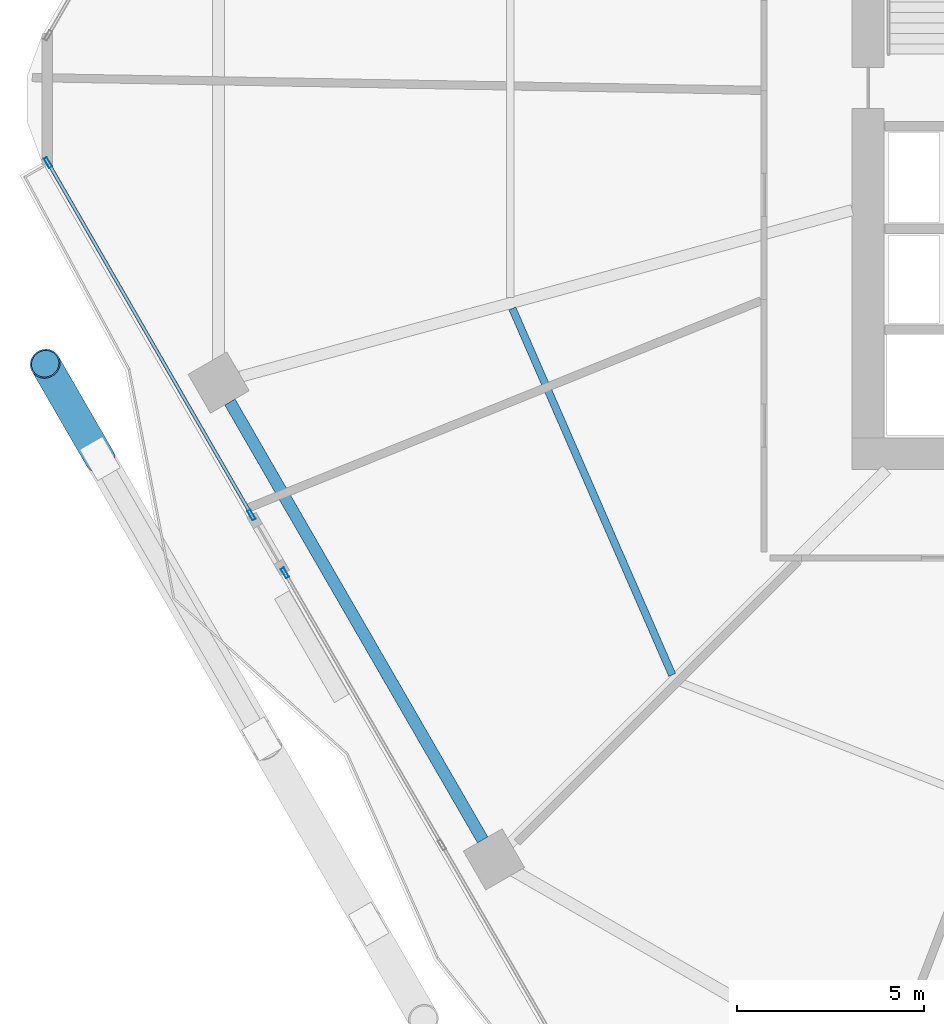
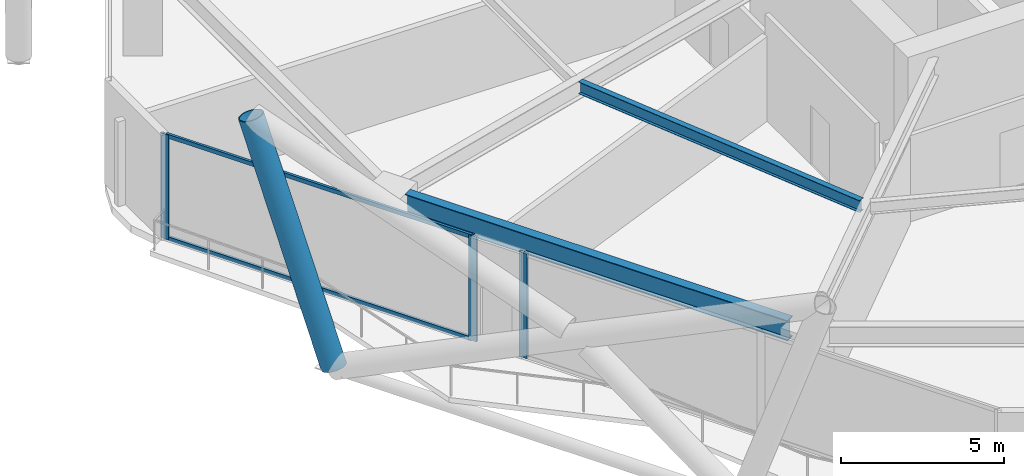
# One storey, part 5 of 30: 6 members, 2 beams, 2 elements without a shape of their own.
"""IFC4 building model written with IfcOpenShell, lengths in metres."""

from ifc_helpers import new_model, si_unit, direction, frame, origin, origin_2d, place, context, subcontext, project, spatial, hollow_rectangle, hollow_circle, i_section, extrude, material, material_profile, profile_set, type_object, element, aggregate, save


model = new_model("IFC4")

# Units and contexts
model_context = context("Model", 3, precision=1e-05, world=origin(), true_north=direction((0.0, 1.0)))
body_context = subcontext(model_context, "Body", "Model", "MODEL_VIEW")
ifc_project = project(units=[si_unit("LENGTHUNIT", "METRE"), si_unit("AREAUNIT", "SQUARE_METRE"), si_unit("VOLUMEUNIT", "CUBIC_METRE"), si_unit("PLANEANGLEUNIT", "RADIAN"), si_unit("MASSUNIT", "GRAM", prefix="KILO")], contexts=[model_context])

# Site, building, storey
site_placement = place(None, origin())
site = spatial("IfcSite", under=ifc_project, at=site_placement, CompositionType="ELEMENT")
building_placement = place(site_placement, origin())
building = spatial("IfcBuilding", under=site, at=building_placement, Name="Zuhravey Tower", CompositionType="ELEMENT")
storey_placement = place(building_placement, frame((0.0, 0.0, 16.199951171875)))
storey = spatial("IfcBuildingStorey", under=building, at=storey_placement, Name="L04", CompositionType="ELEMENT", Elevation=16.199951171875)

# Curtain wall, member
ifc_material_1 = material(Name="Thermally broken anodised aluminium", Category="aluminium")
curtain_wall_type = type_object("IfcCurtainWallType", Name="School Low-E Unitised Curtain Wall CW1", PredefinedType="NOTDEFINED", material=ifc_material_1)
curtain_wall_1_placement = place(storey_placement, origin())
curtain_wall_1 = element("IfcCurtainWall", 1, at=curtain_wall_1_placement, inside=storey, type_object=curtain_wall_type, Name="L04 CW1 CW-L04-F4-1", PredefinedType="NOTDEFINED")
ifc_material_2 = material(Name="Anodised aluminium", Category="aluminium")
ifc_material_profile_1 = material_profile(ifc_material_2, hollow_rectangle(XDim=0.090087890625, YDim=0.284912109375, WallThickness=0.0048828125, at=origin_2d()), Name="ALU-RHS-90x285x5")
ifc_profile_set_1 = profile_set([ifc_material_profile_1], Name="Anodised aluminium")
member_type_1 = type_object("IfcMemberType", Name="Curtain-Wall Mullion 90x180", PredefinedType="MULLION", material=ifc_profile_set_1)
member_1_placement = place(storey_placement, frame((9.885986328125, 19.31396484375, 0.0), z_axis=(0.0, 0.0, 1.0), x_axis=(-0.866025508574, -0.499999818499, 0.0)))
member_1 = element("IfcMember", 2, at=member_1_placement, type_object=member_type_1, Name="CW1 mullion 3", PredefinedType="MULLION", context=body_context, shape_type="SweptSolid", body=[
    extrude(hollow_rectangle(XDim=0.090087890625, YDim=0.284912109375, WallThickness=0.0048828125, at=origin_2d()), origin(), (0.0, 0.0, 1.0), 3.920166015625),
])
aggregate(curtain_wall_1, [member_1])

# Curtain wall, members
curtain_wall_2_placement = place(storey_placement, origin())
curtain_wall_2 = element("IfcCurtainWall", 3, at=curtain_wall_2_placement, inside=storey, type_object=curtain_wall_type, Name="L04 CW1 CW-L04-F4-2", PredefinedType="NOTDEFINED")
member_2_placement = place(storey_placement, frame((8.990966796875, 20.8642578125, 0.0), z_axis=(0.0, 0.0, 1.0), x_axis=(-0.866026545681, -0.499998022171, 0.0)))
member_2 = element("IfcMember", 4, at=member_2_placement, type_object=member_type_1, Name="CW1 mullion 1", PredefinedType="MULLION", context=body_context, shape_type="SweptSolid", body=[
    extrude(hollow_rectangle(XDim=0.090087890625, YDim=0.284912109375, WallThickness=0.0048828125, at=origin_2d()), origin(), (0.0, 0.0, 1.0), 3.920166015625),
])
member_3_placement = place(storey_placement, frame((3.5439453125, 30.298583984375, 0.0), z_axis=(0.0, 0.0, 1.0), x_axis=(-0.866026545681, -0.499998022171, 0.0)))
member_3 = element("IfcMember", 5, at=member_3_placement, type_object=member_type_1, Name="CW1 mullion 2", PredefinedType="MULLION", context=body_context, shape_type="SweptSolid", body=[
    extrude(hollow_rectangle(XDim=0.090087890625, YDim=0.284912109375, WallThickness=0.0048828125, at=origin_2d()), origin(), (0.0, 0.0, 1.0), 3.920166015625),
])
ifc_material_profile_2 = material_profile(ifc_material_2, hollow_rectangle(XDim=0.090087890625, YDim=0.14990234375, WallThickness=0.0048828125, at=origin_2d()), Name="ALU-RHS-90x150x5")
ifc_profile_set_2 = profile_set([ifc_material_profile_2], Name="Anodised aluminium")
member_type_2 = type_object("IfcMemberType", Name="Curtain-Wall Transom 90x150", PredefinedType="USERDEFINED", material=ifc_profile_set_2)
member_4_placement = place(storey_placement, frame((8.968505859375, 20.903076171875, 0.045166015625), z_axis=(-0.500010648101, 0.866019256013, 0.0), x_axis=(-0.866019256013, -0.500010648101, 0.0)))
member_4 = element("IfcMember", 6, at=member_4_placement, type_object=member_type_2, Name="CW1 transom 1.1", ObjectType="TRANSOM", PredefinedType="USERDEFINED", context=body_context, shape_type="SweptSolid", body=[
    extrude(hollow_rectangle(XDim=0.090087890625, YDim=0.14990234375, WallThickness=0.0048828125, at=origin_2d()), origin(), (0.0, 0.0, 1.0), 10.803955078125),
])
member_5_placement = place(storey_placement, frame((8.968505859375, 20.903076171875, 3.875), z_axis=(-0.500010648101, 0.866019256013, 0.0), x_axis=(-0.866019256013, -0.500010648101, 0.0)))
member_5 = element("IfcMember", 7, at=member_5_placement, type_object=member_type_2, Name="CW1 transom 1.2", ObjectType="TRANSOM", PredefinedType="USERDEFINED", context=body_context, shape_type="SweptSolid", body=[
    extrude(hollow_rectangle(XDim=0.090087890625, YDim=0.14990234375, WallThickness=0.0048828125, at=origin_2d()), origin(), (0.0, 0.0, 1.0), 10.803955078125),
])
aggregate(curtain_wall_2, [member_2, member_3, member_4, member_5])

# Member
ifc_material_3 = material(Name="Steel SM460", Category="steel")
ifc_material_profile_3 = material_profile(ifc_material_3, hollow_circle(Radius=0.406494140625, WallThickness=0.035888671875, at=origin_2d()), Name="CHS-812.8x36")
ifc_profile_set_3 = profile_set([ifc_material_profile_3], Name="Steel SM460")
member_type_3 = type_object("IfcMemberType", Name="Exoskeleton Zone 1 Diagrid CHS813x36", PredefinedType="BRACE", material=ifc_profile_set_3)
member_6_placement = place(storey_placement, frame((4.93017578125, 22.37744140625, -0.471923828125), z_axis=(-0.165307317227, 0.286358046605, 0.943754501984), x_axis=(-0.866053660865, -0.499951054106, 0.0)))
element("IfcMember", 8, at=member_6_placement, inside=storey, type_object=member_type_3, Name="L04 Face 4 Diagrid Brace 1", PredefinedType="BRACE", context=body_context, shape_type="SweptSolid", body=[
    extrude(hollow_circle(Radius=0.406494140625, WallThickness=0.035888671875, at=origin_2d()), origin(), (0.0, 0.0, 1.0), 8.85400390625),
])

# Beams
ifc_material_4 = material(Name="Steel SM355", Category="steel")
ifc_material_profile_4 = material_profile(ifc_material_4, i_section(OverallWidth=0.320068359375, OverallDepth=0.75, WebThickness=0.013916015625, FlangeThickness=0.02490234375, at=origin_2d()), Name="H-750x320x14x25")
ifc_profile_set_4 = profile_set([ifc_material_profile_4], Name="Steel SM355")
beam_type_1 = type_object("IfcBeamType", Name="Perimeter Ring Beam H750x320", PredefinedType="BEAM", material=ifc_profile_set_4)
beam_1_placement = place(storey_placement, frame((8.412353515625, 23.88623046875, 3.545166015625), z_axis=(0.499999877243, -0.866025474658, 0.0), x_axis=(0.866025474658, 0.499999877243, 0.0)))
element("IfcBeam", 9, at=beam_1_placement, inside=storey, type_object=beam_type_1, Name="L04 PB1 BM-L04-PB-07", PredefinedType="BEAM", context=body_context, shape_type="SweptSolid", body=[
    extrude(i_section(OverallWidth=0.320068359375, OverallDepth=0.75, WebThickness=0.013916015625, FlangeThickness=0.02490234375, at=origin_2d()), origin(), (0.0, 0.0, 1.0), 13.5341796875),
])
ifc_material_profile_5 = material_profile(ifc_material_4, i_section(OverallWidth=0.199951171875, OverallDepth=0.449951171875, WebThickness=0.009033203125, FlangeThickness=0.013916015625, at=origin_2d()), Name="H-450x200x9x14")
ifc_profile_set_5 = profile_set([ifc_material_profile_5], Name="Steel SM355")
beam_type_2 = type_object("IfcBeamType", Name="Secondary Floor Joist H450x200", PredefinedType="JOIST", material=ifc_profile_set_5)
beam_2_placement = place(storey_placement, frame((15.974609375, 26.39111328125, 3.695068359375), z_axis=(0.399923551578, -0.916548500022, 0.0), x_axis=(0.916548500022, 0.399923551578, 0.0)))
element("IfcBeam", 10, at=beam_2_placement, inside=storey, type_object=beam_type_2, Name="L04 SJ1 BM-L04-SJ-07-1", PredefinedType="JOIST", context=body_context, shape_type="SweptSolid", body=[
    extrude(i_section(OverallWidth=0.199951171875, OverallDepth=0.449951171875, WebThickness=0.009033203125, FlangeThickness=0.013916015625, at=origin_2d()), origin(), (0.0, 0.0, 1.0), 10.70263671875),
])

save(model, "model.ifc")
